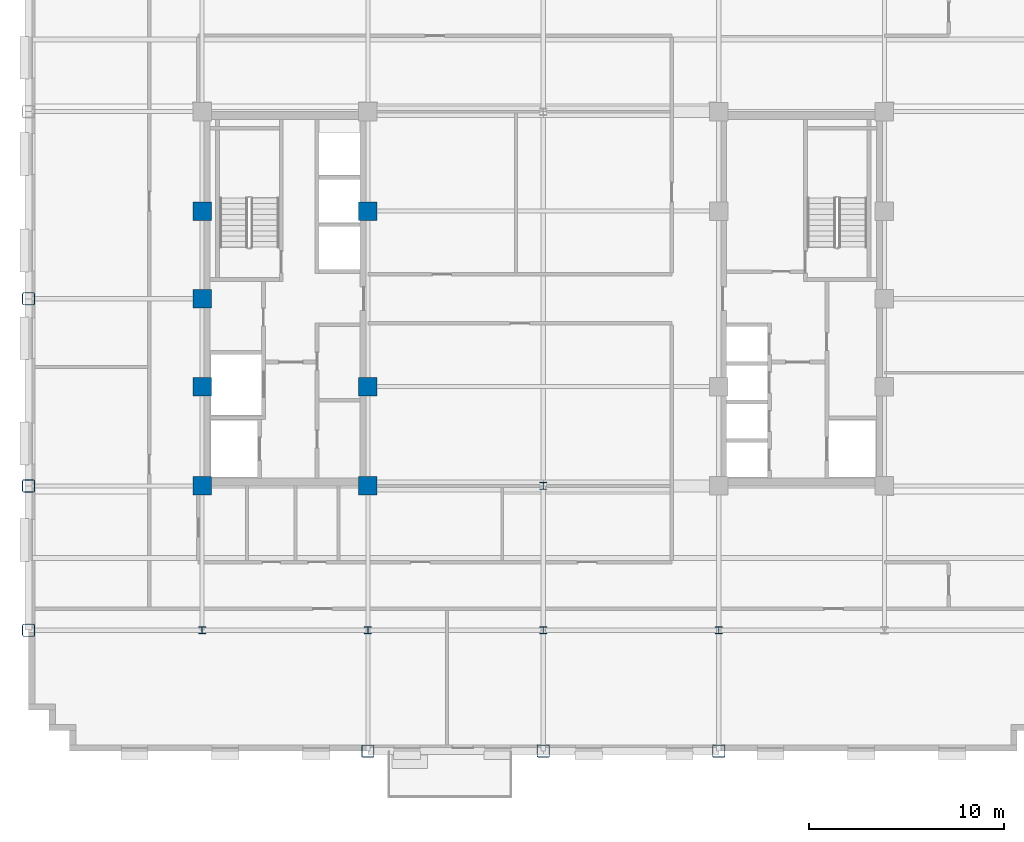
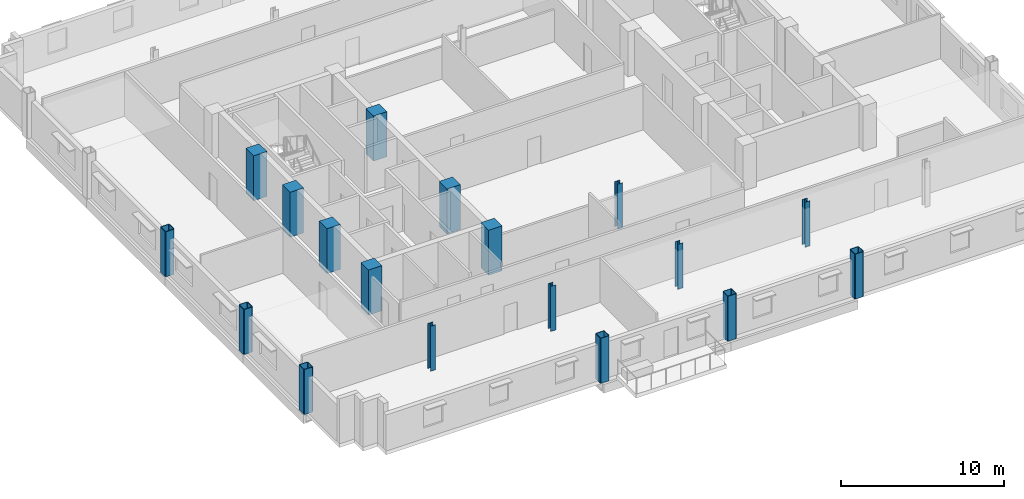
# One storey, part 1 of 14: 18 columns.
"""IFC4 building model written with IfcOpenShell, lengths in metres."""

from ifc_helpers import new_model, si_unit, direction, frame, origin, origin_2d, place, context, subcontext, project, spatial, rectangle, hollow_rectangle, i_section, extrude, material, material_profile, profile_set, type_object, element, save


model = new_model("IFC4")

# Units and contexts
model_context = context("Model", 3, precision=1e-05, world=origin(), true_north=direction((0.0, 1.0)))
body_context = subcontext(model_context, "Body", "Model", "MODEL_VIEW")
ifc_project = project(units=[si_unit("LENGTHUNIT", "METRE"), si_unit("AREAUNIT", "SQUARE_METRE"), si_unit("VOLUMEUNIT", "CUBIC_METRE"), si_unit("PLANEANGLEUNIT", "RADIAN"), si_unit("MASSUNIT", "GRAM", prefix="KILO")], contexts=[model_context])

# Site, building, storey
site_placement = place(None, origin())
site = spatial("IfcSite", under=ifc_project, at=site_placement, CompositionType="ELEMENT")
building_placement = place(site_placement, origin())
building = spatial("IfcBuilding", under=site, at=building_placement, Name="Nuvemarco Arch Tower", CompositionType="ELEMENT")
storey_placement = place(building_placement, frame((0.0, 0.0, 127.5)))
storey = spatial("IfcBuildingStorey", under=building, at=storey_placement, Name="L33", CompositionType="ELEMENT", Elevation=127.5)

# Columns
ifc_material_1 = material(Name="Concrete C50/60", Category="concrete")
ifc_material_profile_1 = material_profile(ifc_material_1, rectangle(XDim=0.949951171875, YDim=0.949951171875, at=origin_2d()), Name="RC-COL-950x950")
ifc_profile_set_1 = profile_set([ifc_material_profile_1], Name="Concrete C50/60")
column_type_1 = type_object("IfcColumnType", Name="COL-CORE-950", PredefinedType="COLUMN", material=ifc_profile_set_1)
for number, where, z_axis, x_axis, name in (
    (1, (-17.5, -9.60009765625, 0.0), (0.0, 0.0, 1.0), (1.0, 0.0, 0.0), "L33 column CC_-17.5_-9.6"),
    (2, (-17.5, -4.5, 0.0), (0.0, 0.0, 1.0), (1.0, 0.0, 0.0), "L33 column CC_-17.5_-4.5"),
    (3, (-17.5, 4.5, 0.0), (0.0, 0.0, 1.0), (1.0, 0.0, 0.0), "L33 column CC_-17.5_+4.5"),
    (4, (-9.0, -9.60009765625, 0.0), (0.0, 0.0, 1.0), (1.0, 0.0, 0.0), "L33 column CC_-9.0_-9.6"),
    (5, (-9.0, -4.5, 0.0), (0.0, 0.0, 1.0), (1.0, 0.0, 0.0), "L33 column CC_-9.0_-4.5"),
    (6, (-9.0, 4.5, 0.0), (0.0, 0.0, 1.0), (1.0, 0.0, 0.0), "L33 column CC_-9.0_+4.5"),
    (7, (-17.5, 0.0, 0.0), (0.0, 0.0, 1.0), (1.0, 0.0, 0.0), "L33 column CC_-17.5_+0.0"),
):
    element("IfcColumn", number, at=place(storey_placement, frame(where, z_axis=z_axis, x_axis=x_axis)), inside=storey, type_object=column_type_1, Name=name, PredefinedType="COLUMN", context=body_context, shape_type="SweptSolid", body=[
        extrude(rectangle(XDim=0.949951171875, YDim=0.949951171875, at=origin_2d()), origin(), (0.0, 0.0, 1.0), 3.3701171875),
    ])
ifc_material_2 = material(Name="Steel S355", Category="steel")
ifc_material_profile_2 = material_profile(ifc_material_2, hollow_rectangle(XDim=0.64990234375, YDim=0.64990234375, WallThickness=0.0400390625, InnerFilletRadius=0.0400390625, OuterFilletRadius=0.080078125, at=origin_2d()), Name="SHS650x650x40")
ifc_profile_set_2 = profile_set([ifc_material_profile_2], Name="Steel S355")
column_type_2 = type_object("IfcColumnType", Name="COL-EXO-650", PredefinedType="COLUMN", material=ifc_profile_set_2)
for number, where, z_axis, x_axis, name in (
    (8, (-26.39990234375, -17.0, 0.0), (0.0, 0.0, 1.0), (1.0, 0.0, 0.0), "L33 column CX_-26.4_-17.0"),
    (9, (-26.39990234375, -9.60009765625, 0.0), (0.0, 0.0, 1.0), (1.0, 0.0, 0.0), "L33 column CX_-26.4_-9.6"),
    (10, (-26.39990234375, 0.0, 0.0), (0.0, 0.0, 1.0), (1.0, 0.0, 0.0), "L33 column CX_-26.4_+0.0"),
    (11, (-9.0, -23.199951171875, 0.0), (0.0, 0.0, 1.0), (1.0, 0.0, 0.0), "L33 column CY_-9.0_-23.2"),
    (12, (0.0, -23.199951171875, 0.0), (0.0, 0.0, 1.0), (1.0, 0.0, 0.0), "L33 column CY_+0.0_-23.2"),
    (13, (9.0, -23.199951171875, 0.0), (0.0, 0.0, 1.0), (1.0, 0.0, 0.0), "L33 column CY_+9.0_-23.2"),
):
    element("IfcColumn", number, at=place(storey_placement, frame(where, z_axis=z_axis, x_axis=x_axis)), inside=storey, type_object=column_type_2, Name=name, PredefinedType="COLUMN", context=body_context, shape_type="SweptSolid", body=[
        extrude(hollow_rectangle(XDim=0.64990234375, YDim=0.64990234375, WallThickness=0.0400390625, InnerFilletRadius=0.0400390625, OuterFilletRadius=0.080078125, at=origin_2d()), origin(), (0.0, 0.0, 1.0), 3.3701171875),
    ])
ifc_material_profile_3 = material_profile(ifc_material_2, i_section(OverallWidth=0.360107421875, OverallDepth=0.360107421875, WebThickness=0.0205078125, FlangeThickness=0.0205078125, FilletRadius=0.01806640625, at=origin_2d()), Name="HP360x174")
ifc_profile_set_3 = profile_set([ifc_material_profile_3], Name="Steel S355")
column_type_3 = type_object("IfcColumnType", Name="COL-STL-HP360", PredefinedType="COLUMN", material=ifc_profile_set_3)
for number, where, z_axis, x_axis, name in (
    (14, (0.0, -17.0, 0.0), (0.0, 0.0, 1.0), (1.0, 0.0, 0.0), "L33 column CI_+0.0_-17.0"),
    (15, (0.0, -9.60009765625, 0.0), (0.0, 0.0, 1.0), (1.0, 0.0, 0.0), "L33 column CI_+0.0_-9.6"),
    (16, (-17.5, -17.0, 0.0), (0.0, 0.0, 1.0), (1.0, 0.0, 0.0), "L33 column CI_-17.5_-17.0"),
    (17, (-9.0, -17.0, 0.0), (0.0, 0.0, 1.0), (1.0, 0.0, 0.0), "L33 column CI_-9.0_-17.0"),
    (18, (9.0, -17.0, 0.0), (0.0, 0.0, 1.0), (1.0, 0.0, 0.0), "L33 column CI_+9.0_-17.0"),
):
    element("IfcColumn", number, at=place(storey_placement, frame(where, z_axis=z_axis, x_axis=x_axis)), inside=storey, type_object=column_type_3, Name=name, PredefinedType="COLUMN", context=body_context, shape_type="SweptSolid", body=[
        extrude(i_section(OverallWidth=0.360107421875, OverallDepth=0.360107421875, WebThickness=0.0205078125, FlangeThickness=0.0205078125, FilletRadius=0.01806640625, at=origin_2d()), origin(), (0.0, 0.0, 1.0), 3.3701171875),
    ])

save(model, "model.ifc")
